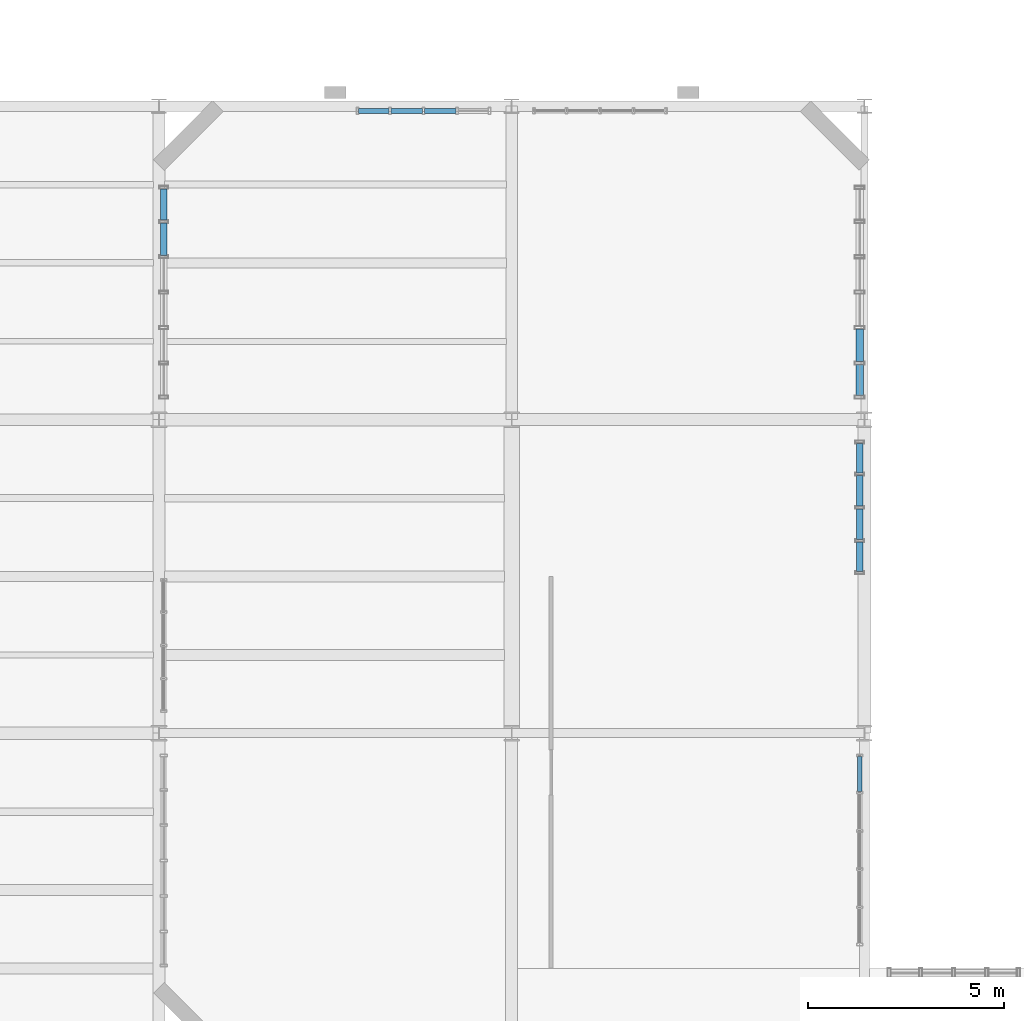
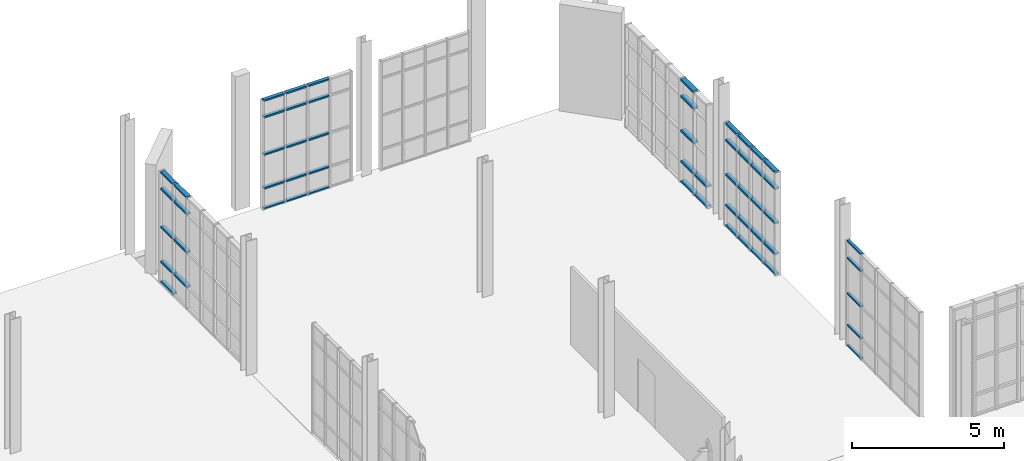
# One storey, part 137 of 189: 56 members, 5 elements without a shape of their own.
"""IFC4 building model written with IfcOpenShell, lengths in metres."""

import ifcopenshell
import ifcopenshell.guid

model = None  # the IFC model being written
_history = None  # IfcOwnerHistory: only IFC2X3 demands one
_inside = {}  # id of a spatial element -> (the spatial element, [elements in it])
_under = {}  # id of a project, library or spatial element -> (it, [spatial elements below it])
_declared = {}  # id of a project -> (the project, [libraries it declares])
_typed = {}  # id of a type object -> (the type object, [elements of that type])
_made_of = {}  # id of a material, layer set ... -> (it, [elements and type objects made of it])


def new_model(schema):
    """Start an empty IFC model of exactly this schema.

    Asked for "IFC4X3", IfcOpenShell would pick the latest addendum, in which some entities
    have other attributes; the version numbers below select the first issue.
    IFC2X3 requires an IfcOwnerHistory on every rooted entity: one is made here for all.
    """
    global model, _history
    if schema == "IFC4X3":
        model = ifcopenshell.file(schema_version=(4, 3, 0, 0))
    else:
        model = ifcopenshell.file(schema=schema)
    _inside.clear()
    _under.clear()
    _declared.clear()
    _typed.clear()
    _made_of.clear()
    _history = None
    if model.schema == "IFC2X3":
        org = make("IfcOrganization", Name="unknown")
        user = make(
            "IfcPersonAndOrganization",
            ThePerson=make("IfcPerson", FamilyName="unknown"),
            TheOrganization=org,
        )
        app = make(
            "IfcApplication",
            ApplicationDeveloper=org,
            Version="unknown",
            ApplicationFullName="unknown",
            ApplicationIdentifier="unknown",
        )
        _history = make(
            "IfcOwnerHistory",
            OwningUser=user,
            OwningApplication=app,
            ChangeAction="ADDED",
            CreationDate=0,
        )
    return model


def make(cls, **values):
    """One entity of the class cls with the attributes given. An attribute that is None is left unset."""
    return model.create_entity(
        cls, **{name: value for name, value in values.items() if value is not None}
    )


def rooted(cls, **values):
    """An entity with a GlobalId (a new one), such as an element, a storey or a relation."""
    return make(cls, GlobalId=ifcopenshell.guid.new(), OwnerHistory=_history, **values)


def si_unit(unit_type, name, prefix=None):
    """IfcSIUnit, for example si_unit("LENGTHUNIT", "METRE", prefix="MILLI")."""
    return make("IfcSIUnit", UnitType=unit_type, Prefix=prefix, Name=name)


def assignment(units):
    """IfcUnitAssignment: the units of a project."""
    return None if units is None else make("IfcUnitAssignment", Units=units)


def point(xyz):
    """IfcCartesianPoint."""
    return None if xyz is None else make("IfcCartesianPoint", Coordinates=xyz)


def direction(xyz):
    """IfcDirection."""
    return None if xyz is None else make("IfcDirection", DirectionRatios=xyz)


def frame(location, z_axis=None, x_axis=None):
    """IfcAxis2Placement3D, a coordinate frame: its origin and axes. An axis left out is left unset."""
    return make(
        "IfcAxis2Placement3D",
        Location=point(location),
        Axis=direction(z_axis),
        RefDirection=direction(x_axis),
    )


def frame_2d(location, x_axis=None):
    """IfcAxis2Placement2D, a coordinate frame in the plane: its origin and x axis."""
    return make(
        "IfcAxis2Placement2D", Location=point(location), RefDirection=direction(x_axis)
    )


def origin():
    """The frame at (0, 0, 0) with its axes left unset."""
    return frame((0.0, 0.0, 0.0))


def origin_2d():
    """The frame at (0, 0) in the plane with its x axis left unset."""
    return frame_2d((0.0, 0.0))


def place(relative_to, where):
    """IfcLocalPlacement: puts the frame where relative to a parent placement (None: the world)."""
    return make(
        "IfcLocalPlacement", PlacementRelTo=relative_to, RelativePlacement=where
    )


def context(
    kind, dimensions, precision=None, world=None, true_north=None, identifier=None
):
    """IfcGeometricRepresentationContext, for example the 3D "Model" context."""
    return make(
        "IfcGeometricRepresentationContext",
        ContextIdentifier=identifier,
        ContextType=kind,
        CoordinateSpaceDimension=dimensions,
        Precision=precision,
        WorldCoordinateSystem=world,
        TrueNorth=true_north,
    )


def subcontext(parent, identifier, kind, view, scale=None):
    """IfcGeometricRepresentationSubContext, for example "Body" below "Model"."""
    return make(
        "IfcGeometricRepresentationSubContext",
        ContextIdentifier=identifier,
        ContextType=kind,
        ParentContext=parent,
        TargetScale=scale,
        TargetView=view,
    )


def project(units=None, contexts=None):
    """IfcProject with its units and contexts."""
    return rooted(
        "IfcProject",
        Name="project",
        RepresentationContexts=contexts,
        UnitsInContext=assignment(units),
    )


def spatial(cls, under=None, at=None, **own):
    """A site, building, storey or space (cls), placed at a placement, below another one or the project."""
    s = rooted(cls, ObjectPlacement=at, **own)
    if under is not None:
        _under.setdefault(under.id(), (under, []))[1].append(s)
    return s


def profile(cls, at=None, kind="AREA", **sizes):
    """A parametric profile (cls). Its sizes go by their IFC names, for example OverallWidth=200.0."""
    return make(cls, ProfileType=kind, Position=at, **sizes)


def hollow_rectangle(**sizes):
    """IfcRectangleHollowProfileDef."""
    return profile("IfcRectangleHollowProfileDef", **sizes)


def extrude(swept, where, along, depth):
    """IfcExtrudedAreaSolid: the profile swept, set in the frame where, extruded along a direction by depth."""
    return make(
        "IfcExtrudedAreaSolid",
        SweptArea=swept,
        Position=where,
        ExtrudedDirection=direction(along),
        Depth=depth,
    )


def shape(context_of_items, identifier, shape_type, items):
    """IfcShapeRepresentation: the items that make up one representation, for example the "Body"."""
    return make(
        "IfcShapeRepresentation",
        ContextOfItems=context_of_items,
        RepresentationIdentifier=identifier,
        RepresentationType=shape_type,
        Items=items,
    )


def material(Name=None, Category=None):
    """IfcMaterial."""
    return make("IfcMaterial", Name=Name, Category=Category)


def layer(
    of_material, thickness, ventilated=None, Name=None, Category=None, Priority=None
):
    """IfcMaterialLayer: one layer of a wall or slab, of a material (None: an air gap)."""
    return make(
        "IfcMaterialLayer",
        Material=of_material,
        LayerThickness=thickness,
        IsVentilated=ventilated,
        Name=Name,
        Category=Category,
        Priority=Priority,
    )


def layer_set(layers, Name=None):
    """IfcMaterialLayerSet."""
    return make("IfcMaterialLayerSet", MaterialLayers=layers, LayerSetName=Name)


def material_profile(
    of_material, cross_section, Name=None, Category=None, Priority=None
):
    """IfcMaterialProfile: a cross section and its material."""
    return make(
        "IfcMaterialProfile",
        Name=Name,
        Material=of_material,
        Profile=cross_section,
        Priority=Priority,
        Category=Category,
    )


def profile_set(profiles, Name=None, composite=None):
    """IfcMaterialProfileSet."""
    return make(
        "IfcMaterialProfileSet",
        Name=Name,
        MaterialProfiles=profiles,
        CompositeProfile=composite,
    )


def made_of(thing, what):
    """Note that an element or type object is made of a material, layer set ...; save() writes the relation."""
    if what is not None:
        _made_of.setdefault(what.id(), (what, []))[1].append(thing)
    return thing


def type_object(cls, material=None, **own):
    """A type object (cls), such as IfcWallType, which elements share."""
    return made_of(rooted(cls, **own), material)


def element(
    cls,
    number,
    at=None,
    inside=None,
    cuts=None,
    type_object=None,
    material=None,
    context=None,
    identifier="Body",
    shape_type=None,
    held_by="IfcProductDefinitionShape",
    body=None,
    shapes=None,
    **own,
):
    """One element of the class cls, such as IfcWall. Its Tag is "e" and its number.

    at: its placement. inside: the storey or other place that contains it. cuts: it is an
    opening in that element (IfcRelVoidsElement). A single representation is given by context,
    identifier, shape_type and body (its items); several are given by shapes. held_by: the class
    of the entity that holds the representations. save() writes the other relations.
    """
    e = rooted(cls, Tag="e%d" % number, ObjectPlacement=at, **own)
    if body is not None:
        shapes = [shape(context, identifier, shape_type, body)]
    if shapes is not None:
        e.Representation = make(held_by, Representations=shapes)
    if inside is not None:
        _inside.setdefault(inside.id(), (inside, []))[1].append(e)
    if cuts is not None:
        rooted(
            "IfcRelVoidsElement", RelatingBuildingElement=cuts, RelatedOpeningElement=e
        )
    if type_object is not None:
        _typed.setdefault(type_object.id(), (type_object, []))[1].append(e)
    return made_of(e, material)


def aggregate(whole, parts):
    """IfcRelAggregates: a whole, such as a stair, and the parts it consists of."""
    return rooted("IfcRelAggregates", RelatingObject=whole, RelatedObjects=parts)


def save(model, path):
    """Write the relations noted so far, then the file.

    IfcRelAggregates (storeys below a building ...), IfcRelContainedInSpatialStructure (elements
    in a storey), IfcRelDefinesByType, IfcRelAssociatesMaterial and IfcRelDeclares: one each for
    every whole, place, type object, material and project.
    """
    for whole, parts in _under.values():
        aggregate(whole, parts)
    for where, things in _inside.values():
        rooted(
            "IfcRelContainedInSpatialStructure",
            RelatedElements=things,
            RelatingStructure=where,
        )
    for kind, things in _typed.values():
        rooted("IfcRelDefinesByType", RelatedObjects=things, RelatingType=kind)
    for what, things in _made_of.values():
        rooted("IfcRelAssociatesMaterial", RelatedObjects=things, RelatingMaterial=what)
    for by, libraries in _declared.values():
        rooted("IfcRelDeclares", RelatingContext=by, RelatedDefinitions=libraries)
    model.write(path)


model = new_model("IFC4")

# Units and contexts
model_context = context("Model", 3, precision=1e-05, world=origin(), true_north=direction((0.0, 1.0)))
body_context = subcontext(model_context, "Body", "Model", "MODEL_VIEW")
ifc_project = project(units=[si_unit("LENGTHUNIT", "METRE"), si_unit("AREAUNIT", "SQUARE_METRE"), si_unit("VOLUMEUNIT", "CUBIC_METRE"), si_unit("PLANEANGLEUNIT", "RADIAN"), si_unit("MASSUNIT", "GRAM", prefix="KILO"), si_unit("THERMODYNAMICTEMPERATUREUNIT", "KELVIN"), si_unit("POWERUNIT", "WATT")], contexts=[model_context])

# Site, building, storey
site_placement = place(None, origin())
site = spatial("IfcSite", under=ifc_project, at=site_placement, CompositionType="ELEMENT")
building_placement = place(site_placement, origin())
building = spatial("IfcBuilding", under=site, at=building_placement, Name="Zelmaris Science Centre", CompositionType="ELEMENT")
storey_placement = place(building_placement, origin())
storey = spatial("IfcBuildingStorey", under=building, at=storey_placement, Name="L00", CompositionType="ELEMENT", Elevation=0.0)

# Curtain wall, members
ifc_material = material(Name="Anodised architectural aluminium 6063-T6", Category="aluminium")
ifc_layer_1 = layer(ifc_material, 0.219970703125, Name="Anodised architectural aluminium 6063-T6")
ifc_layer_set_1 = layer_set([ifc_layer_1], Name="Anodised architectural aluminium 6063-T6")
curtain_wall_type_1 = type_object("IfcCurtainWallType", Name="Curtain Wall CW-04", PredefinedType="USERDEFINED", material=ifc_layer_set_1)
curtain_wall_1_placement = place(storey_placement, origin())
curtain_wall_1 = element("IfcCurtainWall", 1, at=curtain_wall_1_placement, inside=storey, type_object=curtain_wall_type_1, Name="L00 Unitised curtain wall 88", ObjectType="GLAZED CURTAIN WALL", PredefinedType="USERDEFINED")
ifc_material_profile_1 = material_profile(ifc_material, hollow_rectangle(XDim=0.06005859375, YDim=0.110107421875, WallThickness=0.0029296875, at=origin_2d()), Name="ALU-TRN-60X110")
ifc_profile_set_1 = profile_set([ifc_material_profile_1], Name="Anodised architectural aluminium 6063-T6")
member_type_1 = type_object("IfcMemberType", Name="ALU-TRN-60X110", PredefinedType="USERDEFINED", material=ifc_profile_set_1)
member_1_placement = place(storey_placement, frame((107.8818359375, 71.407958984375, 0.010986328125), z_axis=(0.00027203481, -0.999999962999, 0.0), x_axis=(0.0, 0.0, 1.0)))
member_1 = element("IfcMember", 2, at=member_1_placement, type_object=member_type_1, Name="CW-04 transom 1.1", ObjectType="TRANSOM", PredefinedType="USERDEFINED", context=body_context, shape_type="SweptSolid", body=[
    extrude(hollow_rectangle(XDim=0.06005859375, YDim=0.110107421875, WallThickness=0.0029296875, at=origin_2d()), origin(), (0.0, 0.0, 1.0), 0.8974609375),
])
member_2_placement = place(storey_placement, frame((107.8818359375, 71.407958984375, 0.8349609375), z_axis=(0.00027203481, -0.999999962999, 0.0), x_axis=(0.0, 0.0, 1.0)))
member_2 = element("IfcMember", 3, at=member_2_placement, type_object=member_type_1, Name="CW-04 transom 1.2", ObjectType="TRANSOM", PredefinedType="USERDEFINED", context=body_context, shape_type="SweptSolid", body=[
    extrude(hollow_rectangle(XDim=0.06005859375, YDim=0.110107421875, WallThickness=0.0029296875, at=origin_2d()), origin(), (0.0, 0.0, 1.0), 0.8974609375),
])
member_3_placement = place(storey_placement, frame((107.8818359375, 71.407958984375, 2.116943359375), z_axis=(0.00027203481, -0.999999962999, 0.0), x_axis=(0.0, 0.0, 1.0)))
member_3 = element("IfcMember", 4, at=member_3_placement, type_object=member_type_1, Name="CW-04 transom 1.3", ObjectType="TRANSOM", PredefinedType="USERDEFINED", context=body_context, shape_type="SweptSolid", body=[
    extrude(hollow_rectangle(XDim=0.06005859375, YDim=0.110107421875, WallThickness=0.0029296875, at=origin_2d()), origin(), (0.0, 0.0, 1.0), 0.8974609375),
])
member_4_placement = place(storey_placement, frame((107.8818359375, 71.407958984375, 3.549072265625), z_axis=(0.00027203481, -0.999999962999, 0.0), x_axis=(0.0, 0.0, 1.0)))
member_4 = element("IfcMember", 5, at=member_4_placement, type_object=member_type_1, Name="CW-04 transom 1.4", ObjectType="TRANSOM", PredefinedType="USERDEFINED", context=body_context, shape_type="SweptSolid", body=[
    extrude(hollow_rectangle(XDim=0.06005859375, YDim=0.110107421875, WallThickness=0.0029296875, at=origin_2d()), origin(), (0.0, 0.0, 1.0), 0.8974609375),
])
member_5_placement = place(storey_placement, frame((107.8818359375, 71.407958984375, 4.222900390625), z_axis=(0.00027203481, -0.999999962999, 0.0), x_axis=(0.0, 0.0, 1.0)))
member_5 = element("IfcMember", 6, at=member_5_placement, type_object=member_type_1, Name="CW-04 transom 1.5", ObjectType="TRANSOM", PredefinedType="USERDEFINED", context=body_context, shape_type="SweptSolid", body=[
    extrude(hollow_rectangle(XDim=0.06005859375, YDim=0.110107421875, WallThickness=0.0029296875, at=origin_2d()), origin(), (0.0, 0.0, 1.0), 0.8974609375),
])
aggregate(curtain_wall_1, [member_1, member_2, member_3, member_4, member_5])

ifc_layer_2 = layer(ifc_material, 0.2099609375, Name="Anodised architectural aluminium 6063-T6")
ifc_layer_set_2 = layer_set([ifc_layer_2], Name="Anodised architectural aluminium 6063-T6")
curtain_wall_type_2 = type_object("IfcCurtainWallType", Name="Curtain Wall CW-03", PredefinedType="USERDEFINED", material=ifc_layer_set_2)
curtain_wall_2_placement = place(storey_placement, origin())
curtain_wall_2 = element("IfcCurtainWall", 7, at=curtain_wall_2_placement, inside=storey, type_object=curtain_wall_type_2, Name="L00 Unitised curtain wall 83", ObjectType="GLAZED CURTAIN WALL", PredefinedType="USERDEFINED")
ifc_material_profile_2 = material_profile(ifc_material, hollow_rectangle(XDim=0.06494140625, YDim=0.1298828125, WallThickness=0.00341796875, at=origin_2d()), Name="ALU-TRN-65X130")
ifc_profile_set_2 = profile_set([ifc_material_profile_2], Name="Anodised architectural aluminium 6063-T6")
member_type_2 = type_object("IfcMemberType", Name="ALU-TRN-65X130", PredefinedType="USERDEFINED", material=ifc_profile_set_2)
member_6_placement = place(storey_placement, frame((95.096923828125, 87.8798828125, 0.013427734375), z_axis=(1.0, 0.0, 0.0), x_axis=(0.0, 0.0, 1.0)))
member_6 = element("IfcMember", 8, at=member_6_placement, type_object=member_type_2, Name="CW-03 transom 1.1", ObjectType="TRANSOM", PredefinedType="USERDEFINED", context=body_context, shape_type="SweptSolid", body=[
    extrude(hollow_rectangle(XDim=0.06494140625, YDim=0.1298828125, WallThickness=0.00341796875, at=origin_2d()), origin(), (0.0, 0.0, 1.0), 0.76953125),
])
member_7_placement = place(storey_placement, frame((95.096923828125, 87.8798828125, 0.8349609375), z_axis=(1.0, 0.0, 0.0), x_axis=(0.0, 0.0, 1.0)))
member_7 = element("IfcMember", 9, at=member_7_placement, type_object=member_type_2, Name="CW-03 transom 1.2", ObjectType="TRANSOM", PredefinedType="USERDEFINED", context=body_context, shape_type="SweptSolid", body=[
    extrude(hollow_rectangle(XDim=0.06494140625, YDim=0.1298828125, WallThickness=0.00341796875, at=origin_2d()), origin(), (0.0, 0.0, 1.0), 0.76953125),
])
member_8_placement = place(storey_placement, frame((95.096923828125, 87.8798828125, 2.193603515625), z_axis=(1.0, 0.0, 0.0), x_axis=(0.0, 0.0, 1.0)))
member_8 = element("IfcMember", 10, at=member_8_placement, type_object=member_type_2, Name="CW-03 transom 1.3", ObjectType="TRANSOM", PredefinedType="USERDEFINED", context=body_context, shape_type="SweptSolid", body=[
    extrude(hollow_rectangle(XDim=0.06494140625, YDim=0.1298828125, WallThickness=0.00341796875, at=origin_2d()), origin(), (0.0, 0.0, 1.0), 0.76953125),
])
member_9_placement = place(storey_placement, frame((95.096923828125, 87.8798828125, 3.701904296875), z_axis=(1.0, 0.0, 0.0), x_axis=(0.0, 0.0, 1.0)))
member_9 = element("IfcMember", 11, at=member_9_placement, type_object=member_type_2, Name="CW-03 transom 1.4", ObjectType="TRANSOM", PredefinedType="USERDEFINED", context=body_context, shape_type="SweptSolid", body=[
    extrude(hollow_rectangle(XDim=0.06494140625, YDim=0.1298828125, WallThickness=0.00341796875, at=origin_2d()), origin(), (0.0, 0.0, 1.0), 0.76953125),
])
member_10_placement = place(storey_placement, frame((95.096923828125, 87.8798828125, 4.37353515625), z_axis=(1.0, 0.0, 0.0), x_axis=(0.0, 0.0, 1.0)))
member_10 = element("IfcMember", 12, at=member_10_placement, type_object=member_type_2, Name="CW-03 transom 1.5", ObjectType="TRANSOM", PredefinedType="USERDEFINED", context=body_context, shape_type="SweptSolid", body=[
    extrude(hollow_rectangle(XDim=0.06494140625, YDim=0.1298828125, WallThickness=0.00341796875, at=origin_2d()), origin(), (0.0, 0.0, 1.0), 0.76953125),
])
member_11_placement = place(storey_placement, frame((95.923583984375, 87.8798828125, 0.013427734375), z_axis=(1.0, 0.0, 0.0), x_axis=(0.0, 0.0, 1.0)))
member_11 = element("IfcMember", 13, at=member_11_placement, type_object=member_type_2, Name="CW-03 transom 2.1", ObjectType="TRANSOM", PredefinedType="USERDEFINED", context=body_context, shape_type="SweptSolid", body=[
    extrude(hollow_rectangle(XDim=0.06494140625, YDim=0.1298828125, WallThickness=0.00341796875, at=origin_2d()), origin(), (0.0, 0.0, 1.0), 0.7978515625),
])
member_12_placement = place(storey_placement, frame((95.923583984375, 87.8798828125, 0.8349609375), z_axis=(1.0, 0.0, 0.0), x_axis=(0.0, 0.0, 1.0)))
member_12 = element("IfcMember", 14, at=member_12_placement, type_object=member_type_2, Name="CW-03 transom 2.2", ObjectType="TRANSOM", PredefinedType="USERDEFINED", context=body_context, shape_type="SweptSolid", body=[
    extrude(hollow_rectangle(XDim=0.06494140625, YDim=0.1298828125, WallThickness=0.00341796875, at=origin_2d()), origin(), (0.0, 0.0, 1.0), 0.7978515625),
])
member_13_placement = place(storey_placement, frame((95.923583984375, 87.8798828125, 2.193603515625), z_axis=(1.0, 0.0, 0.0), x_axis=(0.0, 0.0, 1.0)))
member_13 = element("IfcMember", 15, at=member_13_placement, type_object=member_type_2, Name="CW-03 transom 2.3", ObjectType="TRANSOM", PredefinedType="USERDEFINED", context=body_context, shape_type="SweptSolid", body=[
    extrude(hollow_rectangle(XDim=0.06494140625, YDim=0.1298828125, WallThickness=0.00341796875, at=origin_2d()), origin(), (0.0, 0.0, 1.0), 0.7978515625),
])
member_14_placement = place(storey_placement, frame((95.923583984375, 87.8798828125, 3.701904296875), z_axis=(1.0, 0.0, 0.0), x_axis=(0.0, 0.0, 1.0)))
member_14 = element("IfcMember", 16, at=member_14_placement, type_object=member_type_2, Name="CW-03 transom 2.4", ObjectType="TRANSOM", PredefinedType="USERDEFINED", context=body_context, shape_type="SweptSolid", body=[
    extrude(hollow_rectangle(XDim=0.06494140625, YDim=0.1298828125, WallThickness=0.00341796875, at=origin_2d()), origin(), (0.0, 0.0, 1.0), 0.7978515625),
])
member_15_placement = place(storey_placement, frame((95.923583984375, 87.8798828125, 4.37353515625), z_axis=(1.0, 0.0, 0.0), x_axis=(0.0, 0.0, 1.0)))
member_15 = element("IfcMember", 17, at=member_15_placement, type_object=member_type_2, Name="CW-03 transom 2.5", ObjectType="TRANSOM", PredefinedType="USERDEFINED", context=body_context, shape_type="SweptSolid", body=[
    extrude(hollow_rectangle(XDim=0.06494140625, YDim=0.1298828125, WallThickness=0.00341796875, at=origin_2d()), origin(), (0.0, 0.0, 1.0), 0.7978515625),
])
member_16_placement = place(storey_placement, frame((96.778564453125, 87.8798828125, 0.013427734375), z_axis=(1.0, 0.0, 0.0), x_axis=(0.0, 0.0, 1.0)))
member_16 = element("IfcMember", 18, at=member_16_placement, type_object=member_type_2, Name="CW-03 transom 3.1", ObjectType="TRANSOM", PredefinedType="USERDEFINED", context=body_context, shape_type="SweptSolid", body=[
    extrude(hollow_rectangle(XDim=0.06494140625, YDim=0.1298828125, WallThickness=0.00341796875, at=origin_2d()), origin(), (0.0, 0.0, 1.0), 0.7978515625),
])
member_17_placement = place(storey_placement, frame((96.778564453125, 87.8798828125, 0.8349609375), z_axis=(1.0, 0.0, 0.0), x_axis=(0.0, 0.0, 1.0)))
member_17 = element("IfcMember", 19, at=member_17_placement, type_object=member_type_2, Name="CW-03 transom 3.2", ObjectType="TRANSOM", PredefinedType="USERDEFINED", context=body_context, shape_type="SweptSolid", body=[
    extrude(hollow_rectangle(XDim=0.06494140625, YDim=0.1298828125, WallThickness=0.00341796875, at=origin_2d()), origin(), (0.0, 0.0, 1.0), 0.7978515625),
])
member_18_placement = place(storey_placement, frame((96.778564453125, 87.8798828125, 2.193603515625), z_axis=(1.0, 0.0, 0.0), x_axis=(0.0, 0.0, 1.0)))
member_18 = element("IfcMember", 20, at=member_18_placement, type_object=member_type_2, Name="CW-03 transom 3.3", ObjectType="TRANSOM", PredefinedType="USERDEFINED", context=body_context, shape_type="SweptSolid", body=[
    extrude(hollow_rectangle(XDim=0.06494140625, YDim=0.1298828125, WallThickness=0.00341796875, at=origin_2d()), origin(), (0.0, 0.0, 1.0), 0.7978515625),
])
member_19_placement = place(storey_placement, frame((96.778564453125, 87.8798828125, 3.701904296875), z_axis=(1.0, 0.0, 0.0), x_axis=(0.0, 0.0, 1.0)))
member_19 = element("IfcMember", 21, at=member_19_placement, type_object=member_type_2, Name="CW-03 transom 3.4", ObjectType="TRANSOM", PredefinedType="USERDEFINED", context=body_context, shape_type="SweptSolid", body=[
    extrude(hollow_rectangle(XDim=0.06494140625, YDim=0.1298828125, WallThickness=0.00341796875, at=origin_2d()), origin(), (0.0, 0.0, 1.0), 0.7978515625),
])
member_20_placement = place(storey_placement, frame((96.778564453125, 87.8798828125, 4.37353515625), z_axis=(1.0, 0.0, 0.0), x_axis=(0.0, 0.0, 1.0)))
member_20 = element("IfcMember", 22, at=member_20_placement, type_object=member_type_2, Name="CW-03 transom 3.5", ObjectType="TRANSOM", PredefinedType="USERDEFINED", context=body_context, shape_type="SweptSolid", body=[
    extrude(hollow_rectangle(XDim=0.06494140625, YDim=0.1298828125, WallThickness=0.00341796875, at=origin_2d()), origin(), (0.0, 0.0, 1.0), 0.7978515625),
])
aggregate(curtain_wall_2, [member_6, member_7, member_8, member_9, member_10, member_11, member_12, member_13, member_14, member_15, member_16, member_17, member_18, member_19, member_20])

ifc_layer_3 = layer(ifc_material, 0.199951171875, Name="Anodised architectural aluminium 6063-T6")
ifc_layer_set_3 = layer_set([ifc_layer_3], Name="Anodised architectural aluminium 6063-T6")
curtain_wall_type_3 = type_object("IfcCurtainWallType", Name="Curtain Wall CW-02", PredefinedType="USERDEFINED", material=ifc_layer_set_3)
curtain_wall_3_placement = place(storey_placement, origin())
curtain_wall_3 = element("IfcCurtainWall", 23, at=curtain_wall_3_placement, inside=storey, type_object=curtain_wall_type_3, Name="L00 Unitised curtain wall 82", ObjectType="GLAZED CURTAIN WALL", PredefinedType="USERDEFINED")
ifc_material_profile_3 = material_profile(ifc_material, hollow_rectangle(XDim=0.074951171875, YDim=0.159912109375, WallThickness=0.00390625, at=origin_2d()), Name="ALU-TRN-75X160")
ifc_profile_set_3 = profile_set([ifc_material_profile_3], Name="Anodised architectural aluminium 6063-T6")
member_type_3 = type_object("IfcMemberType", Name="ALU-TRN-75X160", PredefinedType="USERDEFINED", material=ifc_profile_set_3)
member_21_placement = place(storey_placement, frame((90.1201171875, 84.186767578125, 0.8349609375), z_axis=(0.0, 1.0, 0.0), x_axis=(0.0, 0.0, 1.0)))
member_21 = element("IfcMember", 24, at=member_21_placement, type_object=member_type_3, Name="CW-02 transom 5.2", ObjectType="TRANSOM", PredefinedType="USERDEFINED", context=body_context, shape_type="SweptSolid", body=[
    extrude(hollow_rectangle(XDim=0.074951171875, YDim=0.159912109375, WallThickness=0.00390625, at=origin_2d()), origin(), (0.0, 0.0, 1.0), 0.83642578125),
])
member_22_placement = place(storey_placement, frame((90.1201171875, 84.186767578125, 2.22900390625), z_axis=(0.0, 1.0, 0.0), x_axis=(0.0, 0.0, 1.0)))
member_22 = element("IfcMember", 25, at=member_22_placement, type_object=member_type_3, Name="CW-02 transom 5.3", ObjectType="TRANSOM", PredefinedType="USERDEFINED", context=body_context, shape_type="SweptSolid", body=[
    extrude(hollow_rectangle(XDim=0.074951171875, YDim=0.159912109375, WallThickness=0.00390625, at=origin_2d()), origin(), (0.0, 0.0, 1.0), 0.83642578125),
])
member_23_placement = place(storey_placement, frame((90.1201171875, 84.186767578125, 3.77294921875), z_axis=(0.0, 1.0, 0.0), x_axis=(0.0, 0.0, 1.0)))
member_23 = element("IfcMember", 26, at=member_23_placement, type_object=member_type_3, Name="CW-02 transom 5.4", ObjectType="TRANSOM", PredefinedType="USERDEFINED", context=body_context, shape_type="SweptSolid", body=[
    extrude(hollow_rectangle(XDim=0.074951171875, YDim=0.159912109375, WallThickness=0.00390625, at=origin_2d()), origin(), (0.0, 0.0, 1.0), 0.83642578125),
])
member_24_placement = place(storey_placement, frame((90.1201171875, 84.186767578125, 4.439453125), z_axis=(0.0, 1.0, 0.0), x_axis=(0.0, 0.0, 1.0)))
member_24 = element("IfcMember", 27, at=member_24_placement, type_object=member_type_3, Name="CW-02 transom 5.5", ObjectType="TRANSOM", PredefinedType="USERDEFINED", context=body_context, shape_type="SweptSolid", body=[
    extrude(hollow_rectangle(XDim=0.074951171875, YDim=0.159912109375, WallThickness=0.00390625, at=origin_2d()), origin(), (0.0, 0.0, 1.0), 0.83642578125),
])
member_25_placement = place(storey_placement, frame((90.1201171875, 85.090087890625, 0.0185546875), z_axis=(0.0, 1.0, 0.0), x_axis=(0.0, 0.0, 1.0)))
member_25 = element("IfcMember", 28, at=member_25_placement, type_object=member_type_3, Name="CW-02 transom 6.1", ObjectType="TRANSOM", PredefinedType="USERDEFINED", context=body_context, shape_type="SweptSolid", body=[
    extrude(hollow_rectangle(XDim=0.074951171875, YDim=0.159912109375, WallThickness=0.00390625, at=origin_2d()), origin(), (0.0, 0.0, 1.0), 0.802978515625),
])
member_26_placement = place(storey_placement, frame((90.1201171875, 85.090087890625, 0.8349609375), z_axis=(0.0, 1.0, 0.0), x_axis=(0.0, 0.0, 1.0)))
member_26 = element("IfcMember", 29, at=member_26_placement, type_object=member_type_3, Name="CW-02 transom 6.2", ObjectType="TRANSOM", PredefinedType="USERDEFINED", context=body_context, shape_type="SweptSolid", body=[
    extrude(hollow_rectangle(XDim=0.074951171875, YDim=0.159912109375, WallThickness=0.00390625, at=origin_2d()), origin(), (0.0, 0.0, 1.0), 0.802978515625),
])
member_27_placement = place(storey_placement, frame((90.1201171875, 85.090087890625, 2.22900390625), z_axis=(0.0, 1.0, 0.0), x_axis=(0.0, 0.0, 1.0)))
member_27 = element("IfcMember", 30, at=member_27_placement, type_object=member_type_3, Name="CW-02 transom 6.3", ObjectType="TRANSOM", PredefinedType="USERDEFINED", context=body_context, shape_type="SweptSolid", body=[
    extrude(hollow_rectangle(XDim=0.074951171875, YDim=0.159912109375, WallThickness=0.00390625, at=origin_2d()), origin(), (0.0, 0.0, 1.0), 0.802978515625),
])
member_28_placement = place(storey_placement, frame((90.1201171875, 85.090087890625, 3.77294921875), z_axis=(0.0, 1.0, 0.0), x_axis=(0.0, 0.0, 1.0)))
member_28 = element("IfcMember", 31, at=member_28_placement, type_object=member_type_3, Name="CW-02 transom 6.4", ObjectType="TRANSOM", PredefinedType="USERDEFINED", context=body_context, shape_type="SweptSolid", body=[
    extrude(hollow_rectangle(XDim=0.074951171875, YDim=0.159912109375, WallThickness=0.00390625, at=origin_2d()), origin(), (0.0, 0.0, 1.0), 0.802978515625),
])
member_29_placement = place(storey_placement, frame((90.1201171875, 85.090087890625, 4.439453125), z_axis=(0.0, 1.0, 0.0), x_axis=(0.0, 0.0, 1.0)))
member_29 = element("IfcMember", 32, at=member_29_placement, type_object=member_type_3, Name="CW-02 transom 6.5", ObjectType="TRANSOM", PredefinedType="USERDEFINED", context=body_context, shape_type="SweptSolid", body=[
    extrude(hollow_rectangle(XDim=0.074951171875, YDim=0.159912109375, WallThickness=0.00390625, at=origin_2d()), origin(), (0.0, 0.0, 1.0), 0.802978515625),
])
aggregate(curtain_wall_3, [member_21, member_22, member_23, member_24, member_25, member_26, member_27, member_28, member_29])

curtain_wall_4_placement = place(storey_placement, origin())
curtain_wall_4 = element("IfcCurtainWall", 33, at=curtain_wall_4_placement, inside=storey, type_object=curtain_wall_type_3, Name="L00 Unitised curtain wall 86", ObjectType="GLAZED CURTAIN WALL", PredefinedType="USERDEFINED")
member_30_placement = place(storey_placement, frame((107.880859375, 79.39306640625, 0.0185546875), z_axis=(0.0, -1.0, 0.0), x_axis=(0.0, 0.0, 1.0)))
member_30 = element("IfcMember", 34, at=member_30_placement, type_object=member_type_3, Name="CW-02 transom 1.1", ObjectType="TRANSOM", PredefinedType="USERDEFINED", context=body_context, shape_type="SweptSolid", body=[
    extrude(hollow_rectangle(XDim=0.074951171875, YDim=0.159912109375, WallThickness=0.00390625, at=origin_2d()), origin(), (0.0, 0.0, 1.0), 0.74951171875),
])
member_31_placement = place(storey_placement, frame((107.880859375, 79.39306640625, 0.8349609375), z_axis=(0.0, -1.0, 0.0), x_axis=(0.0, 0.0, 1.0)))
member_31 = element("IfcMember", 35, at=member_31_placement, type_object=member_type_3, Name="CW-02 transom 1.2", ObjectType="TRANSOM", PredefinedType="USERDEFINED", context=body_context, shape_type="SweptSolid", body=[
    extrude(hollow_rectangle(XDim=0.074951171875, YDim=0.159912109375, WallThickness=0.00390625, at=origin_2d()), origin(), (0.0, 0.0, 1.0), 0.74951171875),
])
member_32_placement = place(storey_placement, frame((107.880859375, 79.39306640625, 2.071533203125), z_axis=(0.0, -1.0, 0.0), x_axis=(0.0, 0.0, 1.0)))
member_32 = element("IfcMember", 36, at=member_32_placement, type_object=member_type_3, Name="CW-02 transom 1.3", ObjectType="TRANSOM", PredefinedType="USERDEFINED", context=body_context, shape_type="SweptSolid", body=[
    extrude(hollow_rectangle(XDim=0.074951171875, YDim=0.159912109375, WallThickness=0.00390625, at=origin_2d()), origin(), (0.0, 0.0, 1.0), 0.74951171875),
])
member_33_placement = place(storey_placement, frame((107.880859375, 79.39306640625, 3.4580078125), z_axis=(0.0, -1.0, 0.0), x_axis=(0.0, 0.0, 1.0)))
member_33 = element("IfcMember", 37, at=member_33_placement, type_object=member_type_3, Name="CW-02 transom 1.4", ObjectType="TRANSOM", PredefinedType="USERDEFINED", context=body_context, shape_type="SweptSolid", body=[
    extrude(hollow_rectangle(XDim=0.074951171875, YDim=0.159912109375, WallThickness=0.00390625, at=origin_2d()), origin(), (0.0, 0.0, 1.0), 0.74951171875),
])
member_34_placement = place(storey_placement, frame((107.880859375, 79.39306640625, 4.12451171875), z_axis=(0.0, -1.0, 0.0), x_axis=(0.0, 0.0, 1.0)))
member_34 = element("IfcMember", 38, at=member_34_placement, type_object=member_type_3, Name="CW-02 transom 1.5", ObjectType="TRANSOM", PredefinedType="USERDEFINED", context=body_context, shape_type="SweptSolid", body=[
    extrude(hollow_rectangle(XDim=0.074951171875, YDim=0.159912109375, WallThickness=0.00390625, at=origin_2d()), origin(), (0.0, 0.0, 1.0), 0.74951171875),
])
member_35_placement = place(storey_placement, frame((107.880859375, 78.576416015625, 0.0185546875), z_axis=(0.000311817883, -0.999999951385, 0.0), x_axis=(0.0, 0.0, 1.0)))
member_35 = element("IfcMember", 39, at=member_35_placement, type_object=member_type_3, Name="CW-02 transom 2.1", ObjectType="TRANSOM", PredefinedType="USERDEFINED", context=body_context, shape_type="SweptSolid", body=[
    extrude(hollow_rectangle(XDim=0.074951171875, YDim=0.159912109375, WallThickness=0.00390625, at=origin_2d()), origin(), (0.0, 0.0, 1.0), 0.782958984375),
])
member_36_placement = place(storey_placement, frame((107.880859375, 78.576416015625, 0.8349609375), z_axis=(0.000311817883, -0.999999951385, 0.0), x_axis=(0.0, 0.0, 1.0)))
member_36 = element("IfcMember", 40, at=member_36_placement, type_object=member_type_3, Name="CW-02 transom 2.2", ObjectType="TRANSOM", PredefinedType="USERDEFINED", context=body_context, shape_type="SweptSolid", body=[
    extrude(hollow_rectangle(XDim=0.074951171875, YDim=0.159912109375, WallThickness=0.00390625, at=origin_2d()), origin(), (0.0, 0.0, 1.0), 0.782958984375),
])
member_37_placement = place(storey_placement, frame((107.880859375, 78.576416015625, 2.071533203125), z_axis=(0.000311817883, -0.999999951385, 0.0), x_axis=(0.0, 0.0, 1.0)))
member_37 = element("IfcMember", 41, at=member_37_placement, type_object=member_type_3, Name="CW-02 transom 2.3", ObjectType="TRANSOM", PredefinedType="USERDEFINED", context=body_context, shape_type="SweptSolid", body=[
    extrude(hollow_rectangle(XDim=0.074951171875, YDim=0.159912109375, WallThickness=0.00390625, at=origin_2d()), origin(), (0.0, 0.0, 1.0), 0.782958984375),
])
member_38_placement = place(storey_placement, frame((107.880859375, 78.576416015625, 3.4580078125), z_axis=(0.000311817883, -0.999999951385, 0.0), x_axis=(0.0, 0.0, 1.0)))
member_38 = element("IfcMember", 42, at=member_38_placement, type_object=member_type_3, Name="CW-02 transom 2.4", ObjectType="TRANSOM", PredefinedType="USERDEFINED", context=body_context, shape_type="SweptSolid", body=[
    extrude(hollow_rectangle(XDim=0.074951171875, YDim=0.159912109375, WallThickness=0.00390625, at=origin_2d()), origin(), (0.0, 0.0, 1.0), 0.782958984375),
])
member_39_placement = place(storey_placement, frame((107.880859375, 78.576416015625, 4.12451171875), z_axis=(0.000311817883, -0.999999951385, 0.0), x_axis=(0.0, 0.0, 1.0)))
member_39 = element("IfcMember", 43, at=member_39_placement, type_object=member_type_3, Name="CW-02 transom 2.5", ObjectType="TRANSOM", PredefinedType="USERDEFINED", context=body_context, shape_type="SweptSolid", body=[
    extrude(hollow_rectangle(XDim=0.074951171875, YDim=0.159912109375, WallThickness=0.00390625, at=origin_2d()), origin(), (0.0, 0.0, 1.0), 0.782958984375),
])
member_40_placement = place(storey_placement, frame((107.881103515625, 77.7265625, 0.0185546875), z_axis=(0.0, -1.0, 0.0), x_axis=(0.0, 0.0, 1.0)))
member_40 = element("IfcMember", 44, at=member_40_placement, type_object=member_type_3, Name="CW-02 transom 3.1", ObjectType="TRANSOM", PredefinedType="USERDEFINED", context=body_context, shape_type="SweptSolid", body=[
    extrude(hollow_rectangle(XDim=0.074951171875, YDim=0.159912109375, WallThickness=0.00390625, at=origin_2d()), origin(), (0.0, 0.0, 1.0), 0.782958984375),
])
member_41_placement = place(storey_placement, frame((107.881103515625, 77.7265625, 0.8349609375), z_axis=(0.0, -1.0, 0.0), x_axis=(0.0, 0.0, 1.0)))
member_41 = element("IfcMember", 45, at=member_41_placement, type_object=member_type_3, Name="CW-02 transom 3.2", ObjectType="TRANSOM", PredefinedType="USERDEFINED", context=body_context, shape_type="SweptSolid", body=[
    extrude(hollow_rectangle(XDim=0.074951171875, YDim=0.159912109375, WallThickness=0.00390625, at=origin_2d()), origin(), (0.0, 0.0, 1.0), 0.782958984375),
])
member_42_placement = place(storey_placement, frame((107.881103515625, 77.7265625, 2.071533203125), z_axis=(0.0, -1.0, 0.0), x_axis=(0.0, 0.0, 1.0)))
member_42 = element("IfcMember", 46, at=member_42_placement, type_object=member_type_3, Name="CW-02 transom 3.3", ObjectType="TRANSOM", PredefinedType="USERDEFINED", context=body_context, shape_type="SweptSolid", body=[
    extrude(hollow_rectangle(XDim=0.074951171875, YDim=0.159912109375, WallThickness=0.00390625, at=origin_2d()), origin(), (0.0, 0.0, 1.0), 0.782958984375),
])
member_43_placement = place(storey_placement, frame((107.881103515625, 77.7265625, 3.4580078125), z_axis=(0.0, -1.0, 0.0), x_axis=(0.0, 0.0, 1.0)))
member_43 = element("IfcMember", 47, at=member_43_placement, type_object=member_type_3, Name="CW-02 transom 3.4", ObjectType="TRANSOM", PredefinedType="USERDEFINED", context=body_context, shape_type="SweptSolid", body=[
    extrude(hollow_rectangle(XDim=0.074951171875, YDim=0.159912109375, WallThickness=0.00390625, at=origin_2d()), origin(), (0.0, 0.0, 1.0), 0.782958984375),
])
member_44_placement = place(storey_placement, frame((107.881103515625, 77.7265625, 4.12451171875), z_axis=(0.0, -1.0, 0.0), x_axis=(0.0, 0.0, 1.0)))
member_44 = element("IfcMember", 48, at=member_44_placement, type_object=member_type_3, Name="CW-02 transom 3.5", ObjectType="TRANSOM", PredefinedType="USERDEFINED", context=body_context, shape_type="SweptSolid", body=[
    extrude(hollow_rectangle(XDim=0.074951171875, YDim=0.159912109375, WallThickness=0.00390625, at=origin_2d()), origin(), (0.0, 0.0, 1.0), 0.782958984375),
])
member_45_placement = place(storey_placement, frame((107.881103515625, 76.87646484375, 0.0185546875), z_axis=(0.000325732882, -0.999999946949, 0.0), x_axis=(0.0, 0.0, 1.0)))
member_45 = element("IfcMember", 49, at=member_45_placement, type_object=member_type_3, Name="CW-02 transom 4.1", ObjectType="TRANSOM", PredefinedType="USERDEFINED", context=body_context, shape_type="SweptSolid", body=[
    extrude(hollow_rectangle(XDim=0.074951171875, YDim=0.159912109375, WallThickness=0.00390625, at=origin_2d()), origin(), (0.0, 0.0, 1.0), 0.74951171875),
])
member_46_placement = place(storey_placement, frame((107.881103515625, 76.87646484375, 0.8349609375), z_axis=(0.000325732882, -0.999999946949, 0.0), x_axis=(0.0, 0.0, 1.0)))
member_46 = element("IfcMember", 50, at=member_46_placement, type_object=member_type_3, Name="CW-02 transom 4.2", ObjectType="TRANSOM", PredefinedType="USERDEFINED", context=body_context, shape_type="SweptSolid", body=[
    extrude(hollow_rectangle(XDim=0.074951171875, YDim=0.159912109375, WallThickness=0.00390625, at=origin_2d()), origin(), (0.0, 0.0, 1.0), 0.74951171875),
])
member_47_placement = place(storey_placement, frame((107.881103515625, 76.87646484375, 2.071533203125), z_axis=(0.000325732882, -0.999999946949, 0.0), x_axis=(0.0, 0.0, 1.0)))
member_47 = element("IfcMember", 51, at=member_47_placement, type_object=member_type_3, Name="CW-02 transom 4.3", ObjectType="TRANSOM", PredefinedType="USERDEFINED", context=body_context, shape_type="SweptSolid", body=[
    extrude(hollow_rectangle(XDim=0.074951171875, YDim=0.159912109375, WallThickness=0.00390625, at=origin_2d()), origin(), (0.0, 0.0, 1.0), 0.74951171875),
])
member_48_placement = place(storey_placement, frame((107.881103515625, 76.87646484375, 3.4580078125), z_axis=(0.000325732882, -0.999999946949, 0.0), x_axis=(0.0, 0.0, 1.0)))
member_48 = element("IfcMember", 52, at=member_48_placement, type_object=member_type_3, Name="CW-02 transom 4.4", ObjectType="TRANSOM", PredefinedType="USERDEFINED", context=body_context, shape_type="SweptSolid", body=[
    extrude(hollow_rectangle(XDim=0.074951171875, YDim=0.159912109375, WallThickness=0.00390625, at=origin_2d()), origin(), (0.0, 0.0, 1.0), 0.74951171875),
])
member_49_placement = place(storey_placement, frame((107.881103515625, 76.87646484375, 4.12451171875), z_axis=(0.000325732882, -0.999999946949, 0.0), x_axis=(0.0, 0.0, 1.0)))
member_49 = element("IfcMember", 53, at=member_49_placement, type_object=member_type_3, Name="CW-02 transom 4.5", ObjectType="TRANSOM", PredefinedType="USERDEFINED", context=body_context, shape_type="SweptSolid", body=[
    extrude(hollow_rectangle(XDim=0.074951171875, YDim=0.159912109375, WallThickness=0.00390625, at=origin_2d()), origin(), (0.0, 0.0, 1.0), 0.74951171875),
])
aggregate(curtain_wall_4, [member_30, member_31, member_32, member_33, member_34, member_35, member_36, member_37, member_38, member_39, member_40, member_41, member_42, member_43, member_44, member_45, member_46, member_47, member_48, member_49])

ifc_layer_4 = layer(ifc_material, 0.18994140625, Name="Anodised architectural aluminium 6063-T6")
ifc_layer_set_4 = layer_set([ifc_layer_4], Name="Anodised architectural aluminium 6063-T6")
curtain_wall_type_4 = type_object("IfcCurtainWallType", Name="Curtain Wall CW-01", PredefinedType="USERDEFINED", material=ifc_layer_set_4)
curtain_wall_5_placement = place(storey_placement, origin())
curtain_wall_5 = element("IfcCurtainWall", 54, at=curtain_wall_5_placement, inside=storey, type_object=curtain_wall_type_4, Name="L00 Unitised curtain wall 85", ObjectType="GLAZED CURTAIN WALL", PredefinedType="USERDEFINED")
ifc_material_profile_4 = material_profile(ifc_material, hollow_rectangle(XDim=0.080078125, YDim=0.18994140625, WallThickness=0.00439453125, at=origin_2d()), Name="ALU-TRN-80X190")
ifc_profile_set_4 = profile_set([ifc_material_profile_4], Name="Anodised architectural aluminium 6063-T6")
member_type_4 = type_object("IfcMemberType", Name="ALU-TRN-80X190", PredefinedType="USERDEFINED", material=ifc_profile_set_4)
member_50_placement = place(storey_placement, frame((107.88037109375, 82.310546875, 0.02099609375), z_axis=(0.000293685744, -0.999999956874, 0.0), x_axis=(0.0, 0.0, 1.0)))
member_50 = element("IfcMember", 55, at=member_50_placement, type_object=member_type_4, Name="CW-01 transom 5.1", ObjectType="TRANSOM", PredefinedType="USERDEFINED", context=body_context, shape_type="SweptSolid", body=[
    extrude(hollow_rectangle(XDim=0.080078125, YDim=0.18994140625, WallThickness=0.00439453125, at=origin_2d()), origin(), (0.0, 0.0, 1.0), 0.831298828125),
])
member_51_placement = place(storey_placement, frame((107.88037109375, 82.310546875, 0.8349609375), z_axis=(0.000293685744, -0.999999956874, 0.0), x_axis=(0.0, 0.0, 1.0)))
member_51 = element("IfcMember", 56, at=member_51_placement, type_object=member_type_4, Name="CW-01 transom 5.2", ObjectType="TRANSOM", PredefinedType="USERDEFINED", context=body_context, shape_type="SweptSolid", body=[
    extrude(hollow_rectangle(XDim=0.080078125, YDim=0.18994140625, WallThickness=0.00439453125, at=origin_2d()), origin(), (0.0, 0.0, 1.0), 0.831298828125),
])
member_52_placement = place(storey_placement, frame((107.88037109375, 82.310546875, 2.071533203125), z_axis=(0.000293685744, -0.999999956874, 0.0), x_axis=(0.0, 0.0, 1.0)))
member_52 = element("IfcMember", 57, at=member_52_placement, type_object=member_type_4, Name="CW-01 transom 5.3", ObjectType="TRANSOM", PredefinedType="USERDEFINED", context=body_context, shape_type="SweptSolid", body=[
    extrude(hollow_rectangle(XDim=0.080078125, YDim=0.18994140625, WallThickness=0.00439453125, at=origin_2d()), origin(), (0.0, 0.0, 1.0), 0.831298828125),
])
member_53_placement = place(storey_placement, frame((107.88037109375, 82.310546875, 3.4580078125), z_axis=(0.000293685744, -0.999999956874, 0.0), x_axis=(0.0, 0.0, 1.0)))
member_53 = element("IfcMember", 58, at=member_53_placement, type_object=member_type_4, Name="CW-01 transom 5.4", ObjectType="TRANSOM", PredefinedType="USERDEFINED", context=body_context, shape_type="SweptSolid", body=[
    extrude(hollow_rectangle(XDim=0.080078125, YDim=0.18994140625, WallThickness=0.00439453125, at=origin_2d()), origin(), (0.0, 0.0, 1.0), 0.831298828125),
])
member_54_placement = place(storey_placement, frame((107.88037109375, 82.310546875, 4.1220703125), z_axis=(0.000293685744, -0.999999956874, 0.0), x_axis=(0.0, 0.0, 1.0)))
member_54 = element("IfcMember", 59, at=member_54_placement, type_object=member_type_4, Name="CW-01 transom 5.5", ObjectType="TRANSOM", PredefinedType="USERDEFINED", context=body_context, shape_type="SweptSolid", body=[
    extrude(hollow_rectangle(XDim=0.080078125, YDim=0.18994140625, WallThickness=0.00439453125, at=origin_2d()), origin(), (0.0, 0.0, 1.0), 0.831298828125),
])
member_55_placement = place(storey_placement, frame((107.880615234375, 81.4072265625, 0.02099609375), z_axis=(0.0, -1.0, 0.0), x_axis=(0.0, 0.0, 1.0)))
member_55 = element("IfcMember", 60, at=member_55_placement, type_object=member_type_4, Name="CW-01 transom 6.1", ObjectType="TRANSOM", PredefinedType="USERDEFINED", context=body_context, shape_type="SweptSolid", body=[
    extrude(hollow_rectangle(XDim=0.080078125, YDim=0.18994140625, WallThickness=0.00439453125, at=origin_2d()), origin(), (0.0, 0.0, 1.0), 0.795166015625),
])
member_56_placement = place(storey_placement, frame((107.880615234375, 81.4072265625, 0.8349609375), z_axis=(0.0, -1.0, 0.0), x_axis=(0.0, 0.0, 1.0)))
member_56 = element("IfcMember", 61, at=member_56_placement, type_object=member_type_4, Name="CW-01 transom 6.2", ObjectType="TRANSOM", PredefinedType="USERDEFINED", context=body_context, shape_type="SweptSolid", body=[
    extrude(hollow_rectangle(XDim=0.080078125, YDim=0.18994140625, WallThickness=0.00439453125, at=origin_2d()), origin(), (0.0, 0.0, 1.0), 0.795166015625),
])
aggregate(curtain_wall_5, [member_50, member_51, member_52, member_53, member_54, member_55, member_56])

save(model, "model.ifc")
